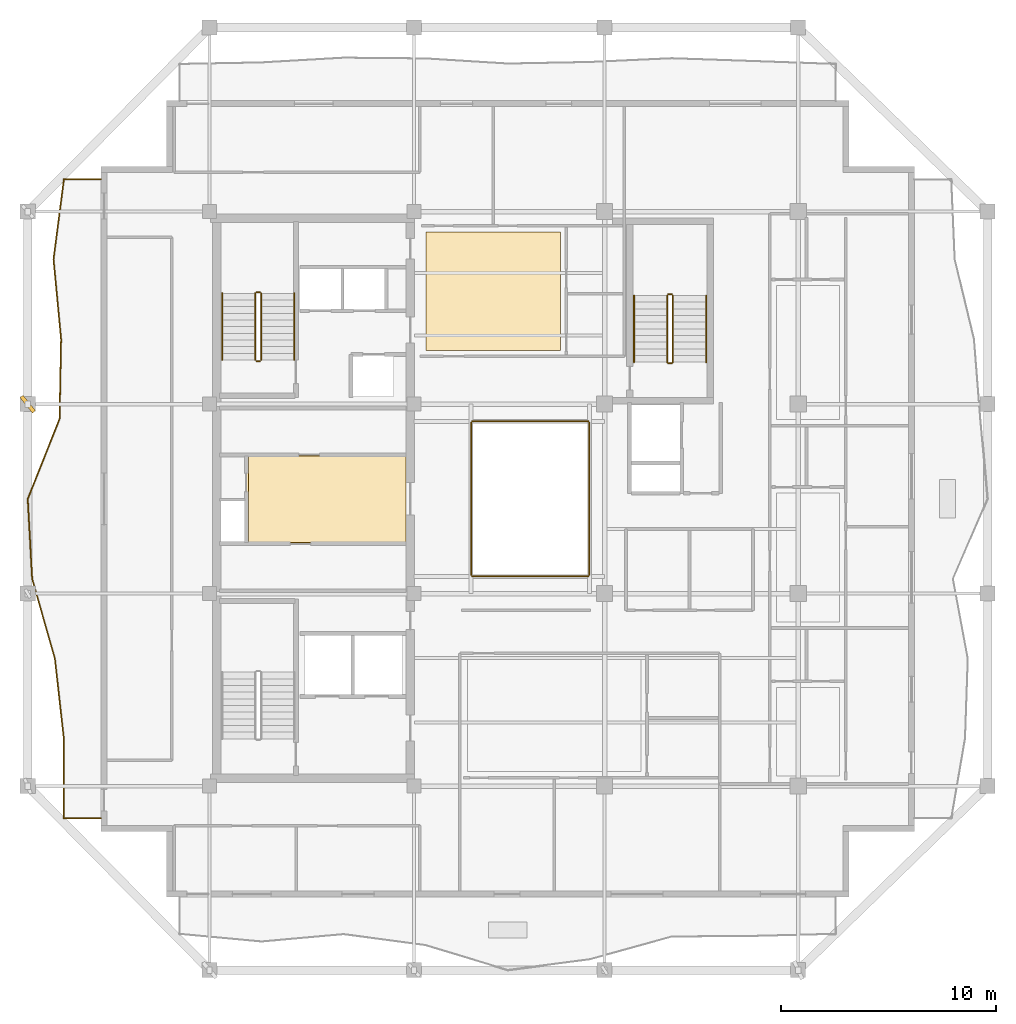
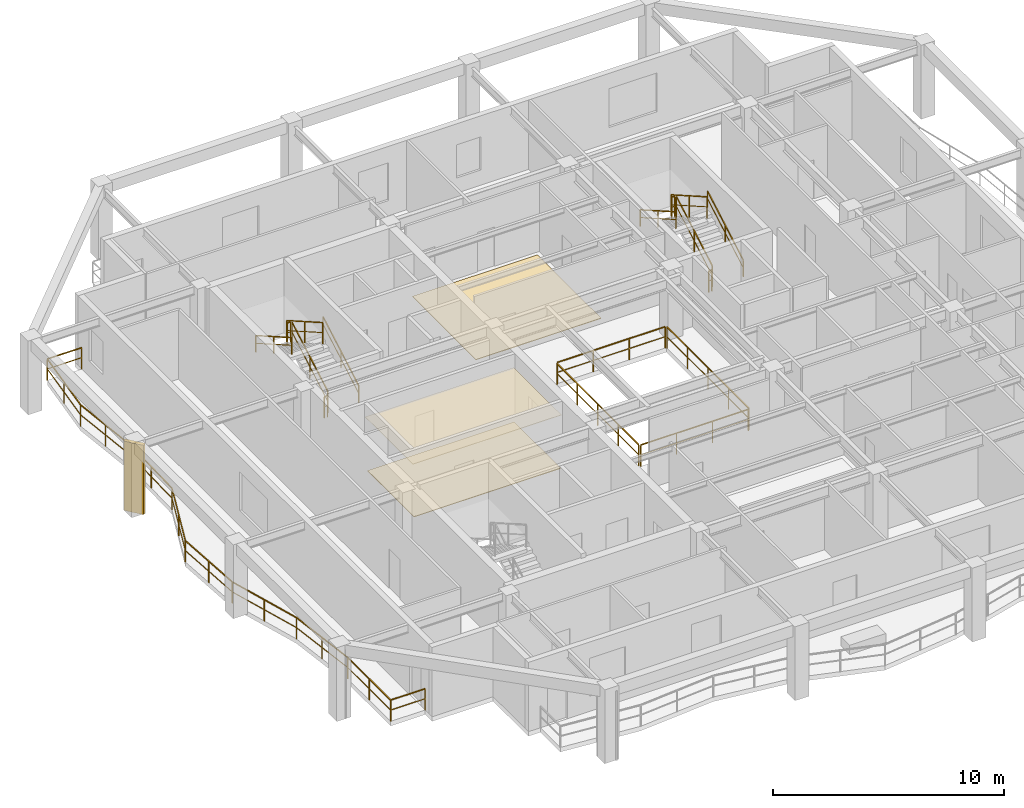
# One storey, part 8 of 10: 17 railings, 3 coverings, 1 shading device.
"""IFC4 building model written with IfcOpenShell, lengths in metres."""

from ifc_helpers import new_model, si_unit, direction, frame, origin, origin_2d, place, context, subcontext, project, spatial, polyline, rectangle, outline, extrude, material, layer, layer_set, type_object, element, save


model = new_model("IFC4")

# Units and contexts
model_context = context("Model", 3, precision=1e-05, world=origin(), true_north=direction((0.0, 1.0)))
body_context = subcontext(model_context, "Body", "Model", "MODEL_VIEW")
ifc_project = project(units=[si_unit("LENGTHUNIT", "METRE"), si_unit("AREAUNIT", "SQUARE_METRE"), si_unit("VOLUMEUNIT", "CUBIC_METRE"), si_unit("PLANEANGLEUNIT", "RADIAN"), si_unit("MASSUNIT", "GRAM", prefix="KILO")], contexts=[model_context])

# Site, building, storey
site_placement = place(None, origin())
site = spatial("IfcSite", under=ifc_project, at=site_placement, CompositionType="ELEMENT")
building_placement = place(site_placement, origin())
building = spatial("IfcBuilding", under=site, at=building_placement, Name="Kundavana Baori Tower", CompositionType="ELEMENT")
storey_placement = place(building_placement, frame((0.0, 0.0, 292.10009765625)))
storey = spatial("IfcBuildingStorey", under=building, at=storey_placement, Name="L72", CompositionType="ELEMENT", Elevation=292.10009765625)

# Coverings
ifc_material_1 = material(Name="Perforated Acoustic Mineral Fibre Ceiling Board")
ifc_layer_1 = layer(ifc_material_1, 0.02490234375, Name="COV-INT-CEIL")
ifc_layer_set_1 = layer_set([ifc_layer_1], Name="Perforated Acoustic Mineral Fibre Ceiling Board")
covering_type_1 = type_object("IfcCoveringType", Name="COV-INT-CEIL", PredefinedType="CEILING", material=ifc_layer_set_1)
covering_1_placement = place(storey_placement, frame((0.0, 0.0, 2.849853515625)))
element("IfcCovering", 1, at=covering_1_placement, inside=storey, type_object=covering_type_1, Name="L72 Core Lift Lobby Acoustic Ceiling", PredefinedType="CEILING", context=body_context, shape_type="SweptSolid", body=[
    extrude(outline(polyline([(17.159912109375, 26.52001953125), (24.580078125, 26.52001953125), (24.580078125, 30.639892578125), (17.159912109375, 30.639892578125), (17.159912109375, 26.52001953125)])), origin(), (0.0, 0.0, 1.0), 0.025146484375),
])
ifc_material_2 = material(Name="Honed Kota Stone and Terrazzo Flooring", Category="masonry")
ifc_layer_2 = layer(ifc_material_2, 0.030029296875, Name="COV-INT-FLR")
ifc_layer_set_2 = layer_set([ifc_layer_2], Name="Honed Kota Stone and Terrazzo Flooring")
covering_type_2 = type_object("IfcCoveringType", Name="COV-INT-FLR", PredefinedType="FLOORING", material=ifc_layer_set_2)
covering_2_placement = place(storey_placement, origin())
element("IfcCovering", 2, at=covering_2_placement, inside=storey, type_object=covering_type_2, Name="L72 Room Finished Stone Flooring 2", PredefinedType="FLOORING", context=body_context, shape_type="SweptSolid", body=[
    extrude(outline(polyline([(25.5, 35.5), (31.75, 35.5), (31.75, 41.010009765625), (25.5, 41.010009765625), (25.5, 35.5)])), origin(), (0.0, 0.0, 1.0), 0.02978515625),
])
covering_3_placement = place(storey_placement, origin())
element("IfcCovering", 3, at=covering_3_placement, inside=storey, type_object=covering_type_2, Name="L72 Core Lift Lobby Kota Stone Flooring", PredefinedType="FLOORING", context=body_context, shape_type="SweptSolid", body=[
    extrude(outline(polyline([(17.25, 26.580078125), (24.580078125, 26.580078125), (24.580078125, 30.60009765625), (17.25, 30.60009765625), (17.25, 26.580078125)])), origin(), (0.0, 0.0, 1.0), 0.02978515625),
])

# Railings
ifc_material_3 = material(Name="Architectural Patinated Bronze Metalwork")
railing_type_1 = type_object("IfcRailingType", Name="RL-BAL-1150", PredefinedType="BALUSTRADE", material=ifc_material_3)
railing_1_placement = place(storey_placement, frame((10.39990234375, 13.75, 0.0)))
element("IfcRailing", 4, at=railing_1_placement, inside=storey, type_object=railing_type_1, Name="L72 Loggia Balcony Balustrade W", PredefinedType="BALUSTRADE", context=body_context, shape_type="SweptSolid", body=[
    extrude(rectangle(XDim=0.048095703125, YDim=0.048095703125, at=origin_2d()), frame((0.0, 0.0, 1.1259765625), z_axis=(-1.0, 0.0, 0.0), x_axis=(0.0, -1.0, 0.0)), (0.0, 0.0, 1.0), 1.719970703125),
    extrude(rectangle(XDim=0.03125, YDim=0.03125, at=origin_2d()), frame((0.0, 0.0, 0.597900390625), z_axis=(-1.0, 0.0, 0.0), x_axis=(0.0, -1.0, 0.0)), (0.0, 0.0, 1.0), 1.719970703125),
    extrude(rectangle(XDim=0.048095703125, YDim=0.048095703125, at=origin_2d()), frame((-1.719970703125, 0.0, 1.1259765625), z_axis=(-0.001052354061, 0.999999446275, 0.0), x_axis=(-0.999999446275, -0.001052354061, 0.0)), (0.0, 0.0, 1.0), 3.7119140625),
    extrude(rectangle(XDim=0.03125, YDim=0.03125, at=origin_2d()), frame((-1.719970703125, 0.0, 0.597900390625), z_axis=(-0.001052354061, 0.999999446275, 0.0), x_axis=(-0.999999446275, -0.001052354061, 0.0)), (0.0, 0.0, 1.0), 3.7119140625),
    extrude(rectangle(XDim=0.048095703125, YDim=0.048095703125, at=origin_2d()), frame((-1.723876953125, 3.7119140625, 1.1259765625), z_axis=(-0.11134227944, 0.993782117372, 0.0), x_axis=(-0.993782117372, -0.11134227944, 0.0)), (0.0, 0.0, 1.0), 3.736328125),
    extrude(rectangle(XDim=0.03125, YDim=0.03125, at=origin_2d()), frame((-1.723876953125, 3.7119140625, 0.597900390625), z_axis=(-0.11134227944, 0.993782117372, 0.0), x_axis=(-0.993782117372, -0.11134227944, 0.0)), (0.0, 0.0, 1.0), 3.736328125),
    extrude(rectangle(XDim=0.048095703125, YDim=0.048095703125, at=origin_2d()), frame((-2.139892578125, 7.425048828125, 1.1259765625), z_axis=(-0.273543096347, 0.961859747802, 0.0), x_axis=(-0.961859747802, -0.273543096347, 0.0)), (0.0, 0.0, 1.0), 3.860107421875),
    extrude(rectangle(XDim=0.03125, YDim=0.03125, at=origin_2d()), frame((-2.139892578125, 7.425048828125, 0.597900390625), z_axis=(-0.273543096347, 0.961859747802, 0.0), x_axis=(-0.961859747802, -0.273543096347, 0.0)), (0.0, 0.0, 1.0), 3.860107421875),
    extrude(rectangle(XDim=0.048095703125, YDim=0.048095703125, at=origin_2d()), frame((-3.19580078125, 11.137939453125, 1.1259765625), z_axis=(-0.054898996331, 0.998491912938, 0.0), x_axis=(-0.998491912938, -0.054898996331, 0.0)), (0.0, 0.0, 1.0), 3.7177734375),
    extrude(rectangle(XDim=0.03125, YDim=0.03125, at=origin_2d()), frame((-3.19580078125, 11.137939453125, 0.597900390625), z_axis=(-0.054898996331, 0.998491912938, 0.0), x_axis=(-0.998491912938, -0.054898996331, 0.0)), (0.0, 0.0, 1.0), 3.7177734375),
    extrude(rectangle(XDim=0.048095703125, YDim=0.048095703125, at=origin_2d()), frame((-3.39990234375, 14.85009765625, 1.1259765625), z_axis=(0.369514254444, 0.929225061954, 0.0), x_axis=(-0.929225061954, 0.369514254444, 0.0)), (0.0, 0.0, 1.0), 3.99462890625),
    extrude(rectangle(XDim=0.03125, YDim=0.03125, at=origin_2d()), frame((-3.39990234375, 14.85009765625, 0.597900390625), z_axis=(0.369514254444, 0.929225061954, 0.0), x_axis=(-0.929225061954, 0.369514254444, 0.0)), (0.0, 0.0, 1.0), 3.99462890625),
    extrude(rectangle(XDim=0.048095703125, YDim=0.048095703125, at=origin_2d()), frame((-1.923828125, 18.56201171875, 1.1259765625), z_axis=(0.019394037073, 0.999811917976, 0.0), x_axis=(-0.999811917976, 0.019394037073, 0.0)), (0.0, 0.0, 1.0), 3.713623046875),
    extrude(rectangle(XDim=0.03125, YDim=0.03125, at=origin_2d()), frame((-1.923828125, 18.56201171875, 0.597900390625), z_axis=(0.019394037073, 0.999811917976, 0.0), x_axis=(-0.999811917976, 0.019394037073, 0.0)), (0.0, 0.0, 1.0), 3.713623046875),
    extrude(rectangle(XDim=0.048095703125, YDim=0.048095703125, at=origin_2d()), frame((-1.851806640625, 22.27490234375, 1.1259765625), z_axis=(-0.094388982681, 0.995535393619, 0.0), x_axis=(-0.995535393619, -0.094388982681, 0.0)), (0.0, 0.0, 1.0), 3.729736328125),
    extrude(rectangle(XDim=0.03125, YDim=0.03125, at=origin_2d()), frame((-1.851806640625, 22.27490234375, 0.597900390625), z_axis=(-0.094388982681, 0.995535393619, 0.0), x_axis=(-0.995535393619, -0.094388982681, 0.0)), (0.0, 0.0, 1.0), 3.729736328125),
    extrude(rectangle(XDim=0.048095703125, YDim=0.048095703125, at=origin_2d()), frame((-2.203857421875, 25.988037109375, 1.1259765625), z_axis=(0.129266689752, 0.991609864272, 0.0), x_axis=(-0.991609864272, 0.129266689752, 0.0)), (0.0, 0.0, 1.0), 3.743408203125),
    extrude(rectangle(XDim=0.03125, YDim=0.03125, at=origin_2d()), frame((-2.203857421875, 25.988037109375, 0.597900390625), z_axis=(0.129266689752, 0.991609864272, 0.0), x_axis=(-0.991609864272, 0.129266689752, 0.0)), (0.0, 0.0, 1.0), 3.743408203125),
    extrude(rectangle(XDim=0.048095703125, YDim=0.048095703125, at=origin_2d()), frame((-1.719970703125, 29.699951171875, 1.1259765625), z_axis=(1.0, 0.0, 0.0), x_axis=(0.0, 1.0, 0.0)), (0.0, 0.0, 1.0), 1.719970703125),
    extrude(rectangle(XDim=0.03125, YDim=0.03125, at=origin_2d()), frame((-1.719970703125, 29.699951171875, 0.597900390625), z_axis=(1.0, 0.0, 0.0), x_axis=(0.0, 1.0, 0.0)), (0.0, 0.0, 1.0), 1.719970703125),
    extrude(rectangle(XDim=0.0419921875, YDim=0.0419921875, at=origin_2d()), origin(), (0.0, 0.0, 1.0), 1.101806640625),
    extrude(rectangle(XDim=0.0419921875, YDim=0.0419921875, at=origin_2d()), frame((-1.719970703125, 0.0, 0.0)), (0.0, 0.0, 1.0), 1.101806640625),
    extrude(rectangle(XDim=0.0419921875, YDim=0.0419921875, at=origin_2d()), frame((-1.721923828125, 1.85595703125, 0.0)), (0.0, 0.0, 1.0), 1.101806640625),
    extrude(rectangle(XDim=0.0419921875, YDim=0.0419921875, at=origin_2d()), frame((-1.723876953125, 3.7119140625, 0.0)), (0.0, 0.0, 1.0), 1.101806640625),
    extrude(rectangle(XDim=0.0419921875, YDim=0.0419921875, at=origin_2d()), frame((-1.931884765625, 5.568359375, 0.0)), (0.0, 0.0, 1.0), 1.101806640625),
    extrude(rectangle(XDim=0.0419921875, YDim=0.0419921875, at=origin_2d()), frame((-2.139892578125, 7.425048828125, 0.0)), (0.0, 0.0, 1.0), 1.101806640625),
    extrude(rectangle(XDim=0.0419921875, YDim=0.0419921875, at=origin_2d()), frame((-2.66796875, 9.281494140625, 0.0)), (0.0, 0.0, 1.0), 1.101806640625),
    extrude(rectangle(XDim=0.0419921875, YDim=0.0419921875, at=origin_2d()), frame((-3.19580078125, 11.137939453125, 0.0)), (0.0, 0.0, 1.0), 1.101806640625),
    extrude(rectangle(XDim=0.0419921875, YDim=0.0419921875, at=origin_2d()), frame((-3.2978515625, 12.994140625, 0.0)), (0.0, 0.0, 1.0), 1.101806640625),
    extrude(rectangle(XDim=0.0419921875, YDim=0.0419921875, at=origin_2d()), frame((-3.39990234375, 14.85009765625, 0.0)), (0.0, 0.0, 1.0), 1.101806640625),
    extrude(rectangle(XDim=0.0419921875, YDim=0.0419921875, at=origin_2d()), frame((-2.661865234375, 16.7060546875, 0.0)), (0.0, 0.0, 1.0), 1.101806640625),
    extrude(rectangle(XDim=0.0419921875, YDim=0.0419921875, at=origin_2d()), frame((-1.923828125, 18.56201171875, 0.0)), (0.0, 0.0, 1.0), 1.101806640625),
    extrude(rectangle(XDim=0.0419921875, YDim=0.0419921875, at=origin_2d()), frame((-1.8876953125, 20.41845703125, 0.0)), (0.0, 0.0, 1.0), 1.101806640625),
    extrude(rectangle(XDim=0.0419921875, YDim=0.0419921875, at=origin_2d()), frame((-1.851806640625, 22.27490234375, 0.0)), (0.0, 0.0, 1.0), 1.101806640625),
    extrude(rectangle(XDim=0.0419921875, YDim=0.0419921875, at=origin_2d()), frame((-2.02783203125, 24.13134765625, 0.0)), (0.0, 0.0, 1.0), 1.101806640625),
    extrude(rectangle(XDim=0.0419921875, YDim=0.0419921875, at=origin_2d()), frame((-2.203857421875, 25.988037109375, 0.0)), (0.0, 0.0, 1.0), 1.101806640625),
    extrude(rectangle(XDim=0.0419921875, YDim=0.0419921875, at=origin_2d()), frame((-1.9619140625, 27.843994140625, 0.0)), (0.0, 0.0, 1.0), 1.101806640625),
    extrude(rectangle(XDim=0.0419921875, YDim=0.0419921875, at=origin_2d()), frame((-1.719970703125, 29.699951171875, 0.0)), (0.0, 0.0, 1.0), 1.101806640625),
    extrude(rectangle(XDim=0.0419921875, YDim=0.0419921875, at=origin_2d()), frame((0.0, 29.699951171875, 0.0)), (0.0, 0.0, 1.0), 1.101806640625),
])
ifc_material_4 = material(Name="Architectural Patinated Bronze Metalwork")
railing_type_2 = type_object("IfcRailingType", Name="RL-GRD-1150", PredefinedType="GUARDRAIL", material=ifc_material_4)
railing_2_placement = place(storey_placement, frame((17.840087890625, 35.050048828125, 0.17724609375)))
element("IfcRailing", 5, at=railing_2_placement, inside=storey, type_object=railing_type_2, Name="L72 ST2 stair guard 1", PredefinedType="GUARDRAIL", context=body_context, shape_type="SweptSolid", body=[
    extrude(rectangle(XDim=0.048095703125, YDim=0.048095703125, at=origin_2d()), frame((0.0, 0.0, 1.1259765625), z_axis=(0.0, 0.868079009454, 0.496426060301), x_axis=(-1.0, 0.0, 0.0)), (0.0, 0.0, 1.0), 3.571044921875),
    extrude(rectangle(XDim=0.03125, YDim=0.03125, at=origin_2d()), frame((0.0, 0.0, 0.597900390625), z_axis=(0.0, 0.868079009454, 0.496426060301), x_axis=(-1.0, 0.0, 0.0)), (0.0, 0.0, 1.0), 3.571044921875),
    extrude(rectangle(XDim=0.0419921875, YDim=0.0419921875, at=origin_2d()), origin(), (0.0, 0.0, 1.0), 1.101806640625),
    extrude(rectangle(XDim=0.0419921875, YDim=0.0419921875, at=origin_2d()), frame((0.0, 1.5498046875, 0.88623046875)), (0.0, 0.0, 1.0), 1.101806640625),
    extrude(rectangle(XDim=0.0419921875, YDim=0.0419921875, at=origin_2d()), frame((0.0, 3.099853515625, 1.772705078125)), (0.0, 0.0, 1.0), 1.101806640625),
])
railing_3_placement = place(storey_placement, frame((17.7900390625, 38.199951171875, 1.949951171875)))
element("IfcRailing", 6, at=railing_3_placement, inside=storey, type_object=railing_type_2, Name="L72 ST2 stair guard 2", PredefinedType="GUARDRAIL", context=body_context, shape_type="SweptSolid", body=[
    extrude(rectangle(XDim=0.048095703125, YDim=0.048095703125, at=origin_2d()), frame((0.0, 0.0, 1.1259765625), z_axis=(-1.0, 0.0, 0.0), x_axis=(0.0, -1.0, 0.0)), (0.0, 0.0, 1.0), 0.16015625),
    extrude(rectangle(XDim=0.03125, YDim=0.03125, at=origin_2d()), frame((0.0, 0.0, 0.597900390625), z_axis=(-1.0, 0.0, 0.0), x_axis=(0.0, -1.0, 0.0)), (0.0, 0.0, 1.0), 0.16015625),
    extrude(rectangle(XDim=0.0419921875, YDim=0.0419921875, at=origin_2d()), origin(), (0.0, 0.0, 1.0), 1.101806640625),
    extrude(rectangle(XDim=0.0419921875, YDim=0.0419921875, at=origin_2d()), frame((-0.16015625, 0.0, 0.0)), (0.0, 0.0, 1.0), 1.101806640625),
])
railing_4_placement = place(storey_placement, frame((17.580078125, 38.14990234375, 2.127197265625)))
element("IfcRailing", 7, at=railing_4_placement, inside=storey, type_object=railing_type_2, Name="L72 ST2 stair guard 3", PredefinedType="GUARDRAIL", context=body_context, shape_type="SweptSolid", body=[
    extrude(rectangle(XDim=0.048095703125, YDim=0.048095703125, at=origin_2d()), frame((0.0, 0.0, 1.1259765625), z_axis=(0.0, -0.868079009454, 0.496426060301), x_axis=(1.0, 0.0, 0.0)), (0.0, 0.0, 1.0), 3.571044921875),
    extrude(rectangle(XDim=0.03125, YDim=0.03125, at=origin_2d()), frame((0.0, 0.0, 0.597900390625), z_axis=(0.0, -0.868079009454, 0.496426060301), x_axis=(1.0, 0.0, 0.0)), (0.0, 0.0, 1.0), 3.571044921875),
    extrude(rectangle(XDim=0.0419921875, YDim=0.0419921875, at=origin_2d()), origin(), (0.0, 0.0, 1.0), 1.101806640625),
    extrude(rectangle(XDim=0.0419921875, YDim=0.0419921875, at=origin_2d()), frame((0.0, -1.5498046875, 0.88623046875)), (0.0, 0.0, 1.0), 1.101806640625),
    extrude(rectangle(XDim=0.0419921875, YDim=0.0419921875, at=origin_2d()), frame((0.0, -3.099853515625, 1.772705078125)), (0.0, 0.0, 1.0), 1.101806640625),
])
railing_5_placement = place(storey_placement, frame((17.7900390625, 35.0, 0.0)))
element("IfcRailing", 8, at=railing_5_placement, inside=storey, type_object=railing_type_2, Name="L72 ST2 stair guard 4", PredefinedType="GUARDRAIL", context=body_context, shape_type="SweptSolid", body=[
    extrude(rectangle(XDim=0.048095703125, YDim=0.048095703125, at=origin_2d()), frame((0.0, 0.0, 1.1259765625), z_axis=(-1.0, 0.0, 0.0), x_axis=(0.0, -1.0, 0.0)), (0.0, 0.0, 1.0), 0.16015625),
    extrude(rectangle(XDim=0.03125, YDim=0.03125, at=origin_2d()), frame((0.0, 0.0, 0.597900390625), z_axis=(-1.0, 0.0, 0.0), x_axis=(0.0, -1.0, 0.0)), (0.0, 0.0, 1.0), 0.16015625),
    extrude(rectangle(XDim=0.0419921875, YDim=0.0419921875, at=origin_2d()), origin(), (0.0, 0.0, 1.0), 1.101806640625),
    extrude(rectangle(XDim=0.0419921875, YDim=0.0419921875, at=origin_2d()), frame((-0.16015625, 0.0, 0.0)), (0.0, 0.0, 1.0), 1.101806640625),
])
railing_6_placement = place(storey_placement, frame((36.97998046875, 34.949951171875, 0.17724609375)))
element("IfcRailing", 9, at=railing_6_placement, inside=storey, type_object=railing_type_2, Name="L72 ST3 stair guard 1", PredefinedType="GUARDRAIL", context=body_context, shape_type="SweptSolid", body=[
    extrude(rectangle(XDim=0.048095703125, YDim=0.048095703125, at=origin_2d()), frame((0.0, 0.0, 1.1259765625), z_axis=(0.0, 0.868095856688, 0.496396599103), x_axis=(-1.0, 0.0, 0.0)), (0.0, 0.0, 1.0), 3.571044921875),
    extrude(rectangle(XDim=0.03125, YDim=0.03125, at=origin_2d()), frame((0.0, 0.0, 0.597900390625), z_axis=(0.0, 0.868095856688, 0.496396599103), x_axis=(-1.0, 0.0, 0.0)), (0.0, 0.0, 1.0), 3.571044921875),
    extrude(rectangle(XDim=0.0419921875, YDim=0.0419921875, at=origin_2d()), origin(), (0.0, 0.0, 1.0), 1.101806640625),
    extrude(rectangle(XDim=0.0419921875, YDim=0.0419921875, at=origin_2d()), frame((0.0, 1.550048828125, 0.88623046875)), (0.0, 0.0, 1.0), 1.101806640625),
    extrude(rectangle(XDim=0.0419921875, YDim=0.0419921875, at=origin_2d()), frame((0.0, 3.10009765625, 1.772705078125)), (0.0, 0.0, 1.0), 1.101806640625),
])
railing_7_placement = place(storey_placement, frame((36.929931640625, 38.10009765625, 1.949951171875)))
element("IfcRailing", 10, at=railing_7_placement, inside=storey, type_object=railing_type_2, Name="L72 ST3 stair guard 2", PredefinedType="GUARDRAIL", context=body_context, shape_type="SweptSolid", body=[
    extrude(rectangle(XDim=0.048095703125, YDim=0.048095703125, at=origin_2d()), frame((0.0, 0.0, 1.1259765625), z_axis=(-1.0, 0.0, 0.0), x_axis=(0.0, -1.0, 0.0)), (0.0, 0.0, 1.0), 0.159912109375),
    extrude(rectangle(XDim=0.03125, YDim=0.03125, at=origin_2d()), frame((0.0, 0.0, 0.597900390625), z_axis=(-1.0, 0.0, 0.0), x_axis=(0.0, -1.0, 0.0)), (0.0, 0.0, 1.0), 0.159912109375),
    extrude(rectangle(XDim=0.0419921875, YDim=0.0419921875, at=origin_2d()), origin(), (0.0, 0.0, 1.0), 1.101806640625),
    extrude(rectangle(XDim=0.0419921875, YDim=0.0419921875, at=origin_2d()), frame((-0.159912109375, 0.0, 0.0)), (0.0, 0.0, 1.0), 1.101806640625),
])
railing_8_placement = place(storey_placement, frame((36.719970703125, 38.050048828125, 2.127197265625)))
element("IfcRailing", 11, at=railing_8_placement, inside=storey, type_object=railing_type_2, Name="L72 ST3 stair guard 3", PredefinedType="GUARDRAIL", context=body_context, shape_type="SweptSolid", body=[
    extrude(rectangle(XDim=0.048095703125, YDim=0.048095703125, at=origin_2d()), frame((0.0, 0.0, 1.1259765625), z_axis=(0.0, -0.868095856688, 0.496396599103), x_axis=(1.0, 0.0, 0.0)), (0.0, 0.0, 1.0), 3.571044921875),
    extrude(rectangle(XDim=0.03125, YDim=0.03125, at=origin_2d()), frame((0.0, 0.0, 0.597900390625), z_axis=(0.0, -0.868095856688, 0.496396599103), x_axis=(1.0, 0.0, 0.0)), (0.0, 0.0, 1.0), 3.571044921875),
    extrude(rectangle(XDim=0.0419921875, YDim=0.0419921875, at=origin_2d()), origin(), (0.0, 0.0, 1.0), 1.101806640625),
    extrude(rectangle(XDim=0.0419921875, YDim=0.0419921875, at=origin_2d()), frame((0.0, -1.550048828125, 0.88623046875)), (0.0, 0.0, 1.0), 1.101806640625),
    extrude(rectangle(XDim=0.0419921875, YDim=0.0419921875, at=origin_2d()), frame((0.0, -3.10009765625, 1.772705078125)), (0.0, 0.0, 1.0), 1.101806640625),
])
railing_9_placement = place(storey_placement, frame((36.929931640625, 34.89990234375, 0.0)))
element("IfcRailing", 12, at=railing_9_placement, inside=storey, type_object=railing_type_2, Name="L72 ST3 stair guard 4", PredefinedType="GUARDRAIL", context=body_context, shape_type="SweptSolid", body=[
    extrude(rectangle(XDim=0.048095703125, YDim=0.048095703125, at=origin_2d()), frame((0.0, 0.0, 1.1259765625), z_axis=(-1.0, 0.0, 0.0), x_axis=(0.0, -1.0, 0.0)), (0.0, 0.0, 1.0), 0.159912109375),
    extrude(rectangle(XDim=0.03125, YDim=0.03125, at=origin_2d()), frame((0.0, 0.0, 0.597900390625), z_axis=(-1.0, 0.0, 0.0), x_axis=(0.0, -1.0, 0.0)), (0.0, 0.0, 1.0), 0.159912109375),
    extrude(rectangle(XDim=0.0419921875, YDim=0.0419921875, at=origin_2d()), origin(), (0.0, 0.0, 1.0), 1.101806640625),
    extrude(rectangle(XDim=0.0419921875, YDim=0.0419921875, at=origin_2d()), frame((-0.159912109375, 0.0, 0.0)), (0.0, 0.0, 1.0), 1.101806640625),
])
railing_10_placement = place(storey_placement, frame((27.659912109375, 25.0, 0.0)))
element("IfcRailing", 13, at=railing_10_placement, inside=storey, type_object=railing_type_2, Name="L72 Atrium Void Perimeter Guardrail S", PredefinedType="GUARDRAIL", context=body_context, shape_type="SweptSolid", body=[
    extrude(rectangle(XDim=0.048095703125, YDim=0.048095703125, at=origin_2d()), frame((0.0, 0.0, 1.1259765625), z_axis=(1.0, 0.0, 0.0), x_axis=(0.0, 1.0, 0.0)), (0.0, 0.0, 1.0), 5.380126953125),
    extrude(rectangle(XDim=0.03125, YDim=0.03125, at=origin_2d()), frame((0.0, 0.0, 0.597900390625), z_axis=(1.0, 0.0, 0.0), x_axis=(0.0, 1.0, 0.0)), (0.0, 0.0, 1.0), 5.380126953125),
    extrude(rectangle(XDim=0.0419921875, YDim=0.0419921875, at=origin_2d()), origin(), (0.0, 0.0, 1.0), 1.101806640625),
    extrude(rectangle(XDim=0.0419921875, YDim=0.0419921875, at=origin_2d()), frame((1.79345703125, 0.0, 0.0)), (0.0, 0.0, 1.0), 1.101806640625),
    extrude(rectangle(XDim=0.0419921875, YDim=0.0419921875, at=origin_2d()), frame((3.586669921875, 0.0, 0.0)), (0.0, 0.0, 1.0), 1.101806640625),
    extrude(rectangle(XDim=0.0419921875, YDim=0.0419921875, at=origin_2d()), frame((5.380126953125, 0.0, 0.0)), (0.0, 0.0, 1.0), 1.101806640625),
])
railing_11_placement = place(storey_placement, frame((33.10009765625, 25.06005859375, 0.0)))
element("IfcRailing", 14, at=railing_11_placement, inside=storey, type_object=railing_type_2, Name="L72 Atrium Void Perimeter Guardrail E", PredefinedType="GUARDRAIL", context=body_context, shape_type="SweptSolid", body=[
    extrude(rectangle(XDim=0.048095703125, YDim=0.048095703125, at=origin_2d()), frame((0.0, 0.0, 1.1259765625), z_axis=(0.0, 1.0, 0.0), x_axis=(-1.0, 0.0, 0.0)), (0.0, 0.0, 1.0), 7.079833984375),
    extrude(rectangle(XDim=0.03125, YDim=0.03125, at=origin_2d()), frame((0.0, 0.0, 0.597900390625), z_axis=(0.0, 1.0, 0.0), x_axis=(-1.0, 0.0, 0.0)), (0.0, 0.0, 1.0), 7.079833984375),
    extrude(rectangle(XDim=0.0419921875, YDim=0.0419921875, at=origin_2d()), origin(), (0.0, 0.0, 1.0), 1.101806640625),
    extrude(rectangle(XDim=0.0419921875, YDim=0.0419921875, at=origin_2d()), frame((0.0, 1.77001953125, 0.0)), (0.0, 0.0, 1.0), 1.101806640625),
    extrude(rectangle(XDim=0.0419921875, YDim=0.0419921875, at=origin_2d()), frame((0.0, 3.5400390625, 0.0)), (0.0, 0.0, 1.0), 1.101806640625),
    extrude(rectangle(XDim=0.0419921875, YDim=0.0419921875, at=origin_2d()), frame((0.0, 5.309814453125, 0.0)), (0.0, 0.0, 1.0), 1.101806640625),
    extrude(rectangle(XDim=0.0419921875, YDim=0.0419921875, at=origin_2d()), frame((0.0, 7.079833984375, 0.0)), (0.0, 0.0, 1.0), 1.101806640625),
])
railing_12_placement = place(storey_placement, frame((33.0400390625, 32.199951171875, 0.0)))
element("IfcRailing", 15, at=railing_12_placement, inside=storey, type_object=railing_type_2, Name="L72 Atrium Void Perimeter Guardrail N", PredefinedType="GUARDRAIL", context=body_context, shape_type="SweptSolid", body=[
    extrude(rectangle(XDim=0.048095703125, YDim=0.048095703125, at=origin_2d()), frame((0.0, 0.0, 1.1259765625), z_axis=(-1.0, 0.0, 0.0), x_axis=(0.0, -1.0, 0.0)), (0.0, 0.0, 1.0), 5.380126953125),
    extrude(rectangle(XDim=0.03125, YDim=0.03125, at=origin_2d()), frame((0.0, 0.0, 0.597900390625), z_axis=(-1.0, 0.0, 0.0), x_axis=(0.0, -1.0, 0.0)), (0.0, 0.0, 1.0), 5.380126953125),
    extrude(rectangle(XDim=0.0419921875, YDim=0.0419921875, at=origin_2d()), origin(), (0.0, 0.0, 1.0), 1.101806640625),
    extrude(rectangle(XDim=0.0419921875, YDim=0.0419921875, at=origin_2d()), frame((-1.79345703125, 0.0, 0.0)), (0.0, 0.0, 1.0), 1.101806640625),
    extrude(rectangle(XDim=0.0419921875, YDim=0.0419921875, at=origin_2d()), frame((-3.586669921875, 0.0, 0.0)), (0.0, 0.0, 1.0), 1.101806640625),
    extrude(rectangle(XDim=0.0419921875, YDim=0.0419921875, at=origin_2d()), frame((-5.380126953125, 0.0, 0.0)), (0.0, 0.0, 1.0), 1.101806640625),
])
railing_13_placement = place(storey_placement, frame((27.60009765625, 32.139892578125, 0.0)))
element("IfcRailing", 16, at=railing_13_placement, inside=storey, type_object=railing_type_2, Name="L72 Atrium Void Perimeter Guardrail W", PredefinedType="GUARDRAIL", context=body_context, shape_type="SweptSolid", body=[
    extrude(rectangle(XDim=0.048095703125, YDim=0.048095703125, at=origin_2d()), frame((0.0, 0.0, 1.1259765625), z_axis=(0.0, -1.0, 0.0), x_axis=(1.0, 0.0, 0.0)), (0.0, 0.0, 1.0), 7.079833984375),
    extrude(rectangle(XDim=0.03125, YDim=0.03125, at=origin_2d()), frame((0.0, 0.0, 0.597900390625), z_axis=(0.0, -1.0, 0.0), x_axis=(1.0, 0.0, 0.0)), (0.0, 0.0, 1.0), 7.079833984375),
    extrude(rectangle(XDim=0.0419921875, YDim=0.0419921875, at=origin_2d()), origin(), (0.0, 0.0, 1.0), 1.101806640625),
    extrude(rectangle(XDim=0.0419921875, YDim=0.0419921875, at=origin_2d()), frame((0.0, -1.77001953125, 0.0)), (0.0, 0.0, 1.0), 1.101806640625),
    extrude(rectangle(XDim=0.0419921875, YDim=0.0419921875, at=origin_2d()), frame((0.0, -3.5400390625, 0.0)), (0.0, 0.0, 1.0), 1.101806640625),
    extrude(rectangle(XDim=0.0419921875, YDim=0.0419921875, at=origin_2d()), frame((0.0, -5.309814453125, 0.0)), (0.0, 0.0, 1.0), 1.101806640625),
    extrude(rectangle(XDim=0.0419921875, YDim=0.0419921875, at=origin_2d()), frame((0.0, -7.079833984375, 0.0)), (0.0, 0.0, 1.0), 1.101806640625),
])
ifc_material_5 = material(Name="Architectural Patinated Bronze Metalwork")
railing_type_3 = type_object("IfcRailingType", Name="RL-HND-920", PredefinedType="HANDRAIL", material=ifc_material_5)
railing_14_placement = place(storey_placement, frame((19.389892578125, 35.050048828125, 0.17724609375)))
element("IfcRailing", 17, at=railing_14_placement, inside=storey, type_object=railing_type_3, Name="L72 ST2 stair handrail 1", PredefinedType="HANDRAIL", context=body_context, shape_type="SweptSolid", body=[
    extrude(rectangle(XDim=0.048095703125, YDim=0.048095703125, at=origin_2d()), frame((0.0, 0.0, 0.8759765625), z_axis=(0.0, 0.868079009454, 0.496426060301), x_axis=(-1.0, 0.0, 0.0)), (0.0, 0.0, 1.0), 3.571044921875),
    extrude(rectangle(XDim=0.03125, YDim=0.03125, at=origin_2d()), frame((0.0, 0.0, 0.468017578125), z_axis=(0.0, 0.868079009454, 0.496426060301), x_axis=(-1.0, 0.0, 0.0)), (0.0, 0.0, 1.0), 3.571044921875),
    extrude(rectangle(XDim=0.0419921875, YDim=0.0419921875, at=origin_2d()), origin(), (0.0, 0.0, 1.0), 0.851806640625),
    extrude(rectangle(XDim=0.0419921875, YDim=0.0419921875, at=origin_2d()), frame((0.0, 1.5498046875, 0.88623046875)), (0.0, 0.0, 1.0), 0.851806640625),
    extrude(rectangle(XDim=0.0419921875, YDim=0.0419921875, at=origin_2d()), frame((0.0, 3.099853515625, 1.772705078125)), (0.0, 0.0, 1.0), 0.851806640625),
])
railing_15_placement = place(storey_placement, frame((16.030029296875, 38.14990234375, 2.127197265625)))
element("IfcRailing", 18, at=railing_15_placement, inside=storey, type_object=railing_type_3, Name="L72 ST2 stair handrail 2", PredefinedType="HANDRAIL", context=body_context, shape_type="SweptSolid", body=[
    extrude(rectangle(XDim=0.048095703125, YDim=0.048095703125, at=origin_2d()), frame((0.0, 0.0, 0.8759765625), z_axis=(0.0, -0.868079009454, 0.496426060301), x_axis=(1.0, 0.0, 0.0)), (0.0, 0.0, 1.0), 3.571044921875),
    extrude(rectangle(XDim=0.03125, YDim=0.03125, at=origin_2d()), frame((0.0, 0.0, 0.468017578125), z_axis=(0.0, -0.868079009454, 0.496426060301), x_axis=(1.0, 0.0, 0.0)), (0.0, 0.0, 1.0), 3.571044921875),
    extrude(rectangle(XDim=0.0419921875, YDim=0.0419921875, at=origin_2d()), origin(), (0.0, 0.0, 1.0), 0.851806640625),
    extrude(rectangle(XDim=0.0419921875, YDim=0.0419921875, at=origin_2d()), frame((0.0, -1.5498046875, 0.88623046875)), (0.0, 0.0, 1.0), 0.851806640625),
    extrude(rectangle(XDim=0.0419921875, YDim=0.0419921875, at=origin_2d()), frame((0.0, -3.099853515625, 1.772705078125)), (0.0, 0.0, 1.0), 0.851806640625),
])
railing_16_placement = place(storey_placement, frame((38.530029296875, 34.949951171875, 0.17724609375)))
element("IfcRailing", 19, at=railing_16_placement, inside=storey, type_object=railing_type_3, Name="L72 ST3 stair handrail 1", PredefinedType="HANDRAIL", context=body_context, shape_type="SweptSolid", body=[
    extrude(rectangle(XDim=0.048095703125, YDim=0.048095703125, at=origin_2d()), frame((0.0, 0.0, 0.8759765625), z_axis=(0.0, 0.868095856688, 0.496396599103), x_axis=(-1.0, 0.0, 0.0)), (0.0, 0.0, 1.0), 3.571044921875),
    extrude(rectangle(XDim=0.03125, YDim=0.03125, at=origin_2d()), frame((0.0, 0.0, 0.468017578125), z_axis=(0.0, 0.868095856688, 0.496396599103), x_axis=(-1.0, 0.0, 0.0)), (0.0, 0.0, 1.0), 3.571044921875),
    extrude(rectangle(XDim=0.0419921875, YDim=0.0419921875, at=origin_2d()), origin(), (0.0, 0.0, 1.0), 0.851806640625),
    extrude(rectangle(XDim=0.0419921875, YDim=0.0419921875, at=origin_2d()), frame((0.0, 1.550048828125, 0.88623046875)), (0.0, 0.0, 1.0), 0.851806640625),
    extrude(rectangle(XDim=0.0419921875, YDim=0.0419921875, at=origin_2d()), frame((0.0, 3.10009765625, 1.772705078125)), (0.0, 0.0, 1.0), 0.851806640625),
])
railing_17_placement = place(storey_placement, frame((35.169921875, 38.050048828125, 2.127197265625)))
element("IfcRailing", 20, at=railing_17_placement, inside=storey, type_object=railing_type_3, Name="L72 ST3 stair handrail 2", PredefinedType="HANDRAIL", context=body_context, shape_type="SweptSolid", body=[
    extrude(rectangle(XDim=0.048095703125, YDim=0.048095703125, at=origin_2d()), frame((0.0, 0.0, 0.8759765625), z_axis=(0.0, -0.868095856688, 0.496396599103), x_axis=(1.0, 0.0, 0.0)), (0.0, 0.0, 1.0), 3.571044921875),
    extrude(rectangle(XDim=0.03125, YDim=0.03125, at=origin_2d()), frame((0.0, 0.0, 0.468017578125), z_axis=(0.0, -0.868095856688, 0.496396599103), x_axis=(1.0, 0.0, 0.0)), (0.0, 0.0, 1.0), 3.571044921875),
    extrude(rectangle(XDim=0.0419921875, YDim=0.0419921875, at=origin_2d()), origin(), (0.0, 0.0, 1.0), 0.851806640625),
    extrude(rectangle(XDim=0.0419921875, YDim=0.0419921875, at=origin_2d()), frame((0.0, -1.550048828125, 0.88623046875)), (0.0, 0.0, 1.0), 0.851806640625),
    extrude(rectangle(XDim=0.0419921875, YDim=0.0419921875, at=origin_2d()), frame((0.0, -3.10009765625, 1.772705078125)), (0.0, 0.0, 1.0), 0.851806640625),
])

# Shading device
ifc_material_6 = material(Name="Red-Buff Dholpur Sandstone Cladding on Concrete C40/50", Category="masonry")
shading_device_type = type_object("IfcShadingDeviceType", Name="SHD-FIN-920", PredefinedType="JALOUSIE", material=ifc_material_6)
shading_device_placement = place(storey_placement, frame((7.0, 33.0, 0.0), z_axis=(0.0, 0.0, 1.0), x_axis=(0.776486512687, 0.630133871185, 0.0)))
element("IfcShadingDevice", 21, at=shading_device_placement, inside=storey, type_object=shading_device_type, Name="L72 Sweeping Dholpur Sandstone Facade Fin 7", PredefinedType="JALOUSIE", context=body_context, shape_type="SweptSolid", body=[
    extrude(rectangle(XDim=0.179931640625, YDim=0.919921875, at=origin_2d()), origin(), (0.0, 0.0, 1.0), 3.659912109375),
])

save(model, "model.ifc")
